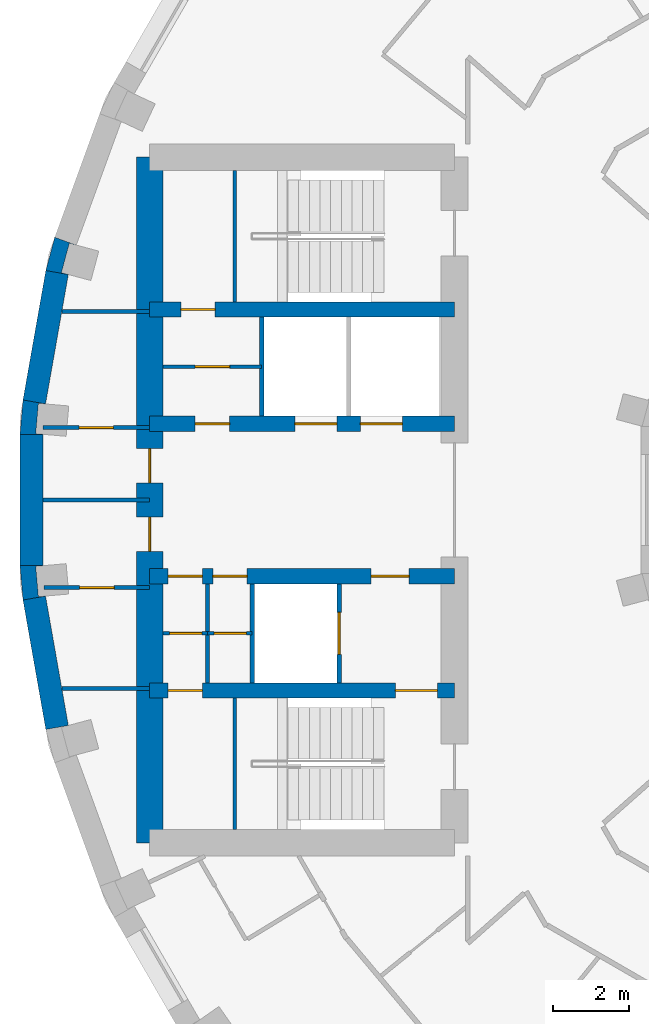
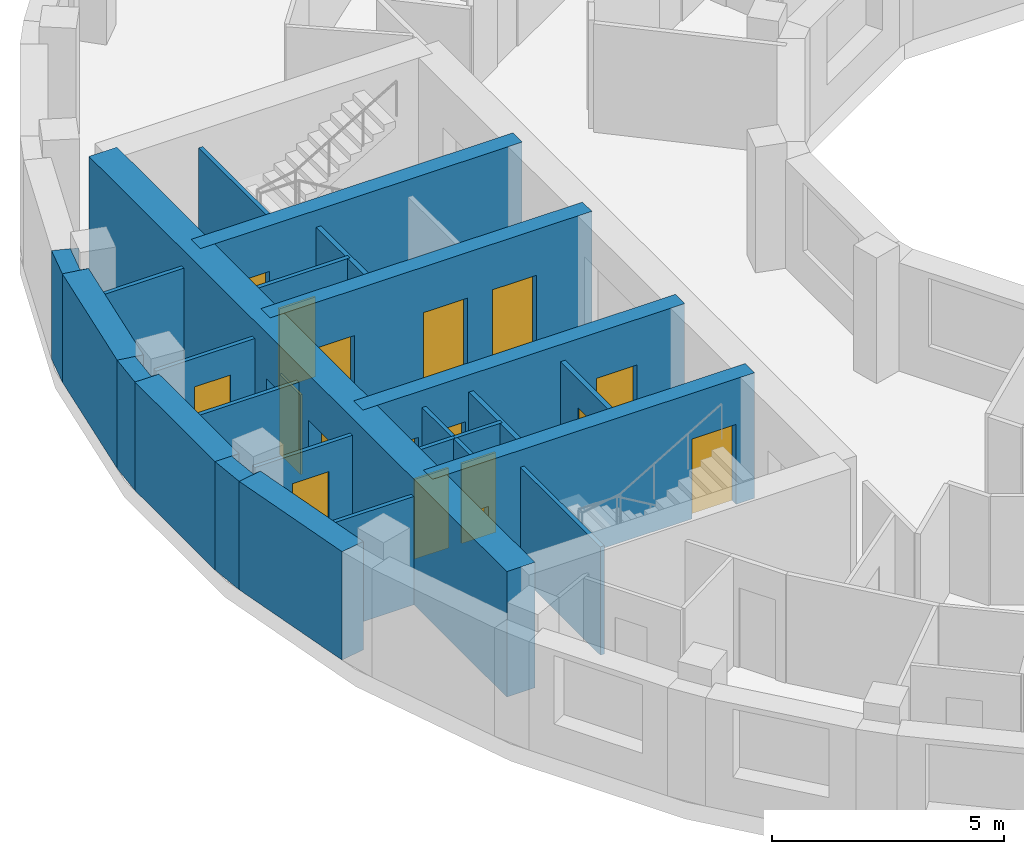
# One storey, part 6 of 14: 25 walls, 17 doors, 17 openings.
"""IFC4 building model written with IfcOpenShell, lengths in metres."""

from ifc_helpers import new_model, si_unit, direction, frame, frame_2d, origin, place, context, subcontext, project, spatial, polyline, rectangle, outline, extrude, material, layer, layer_set, type_object, element, fill, save


model = new_model("IFC4")

# Units and contexts
model_context = context("Model", 3, precision=1e-05, world=origin(), true_north=direction((0.0, 1.0)))
body_context = subcontext(model_context, "Body", "Model", "MODEL_VIEW")
ifc_project = project(units=[si_unit("LENGTHUNIT", "METRE"), si_unit("AREAUNIT", "SQUARE_METRE"), si_unit("VOLUMEUNIT", "CUBIC_METRE"), si_unit("PLANEANGLEUNIT", "RADIAN"), si_unit("MASSUNIT", "GRAM", prefix="KILO")], contexts=[model_context])

# Site, building, storey
site_placement = place(None, origin())
site = spatial("IfcSite", under=ifc_project, at=site_placement, CompositionType="ELEMENT")
building_placement = place(site_placement, origin())
building = spatial("IfcBuilding", under=site, at=building_placement, Name="Saqina Gate Tower", CompositionType="ELEMENT")
storey_placement = place(building_placement, frame((0.0, 0.0, 177.300048828125)))
storey = spatial("IfcBuildingStorey", under=building, at=storey_placement, Name="L50", CompositionType="ELEMENT", Elevation=177.300048828125)

# Walls
ifc_material_1 = material(Name="Brick masonry (buff)", Category="masonry")
wall_type_1 = type_object("IfcWallType", Name="BRICK PIER COPING BUFF", PredefinedType="SOLIDWALL", material=ifc_material_1)
wall_1_placement = place(storey_placement, origin())
element("IfcWall", 1, at=wall_1_placement, inside=storey, type_object=wall_type_1, Name="Pier cap L50 column 17", PredefinedType="SOLIDWALL", context=body_context, shape_type="SweptSolid", body=[
    extrude(outline(polyline([(-24.22705078125, 6.0234375), (-23.635986328125, 5.919189453125), (-23.81689453125, 5.967529296875), (-23.610107421875, 6.740478515625), (-23.428955078125, 6.69189453125), (-23.992919921875, 6.897216796875), (-24.22705078125, 6.0234375)])), origin(), (0.0, 0.0, 1.0), 2.849853515625),
])
wall_2_placement = place(storey_placement, origin())
element("IfcWall", 2, at=wall_2_placement, inside=storey, type_object=wall_type_1, Name="Pier cap L50 column 18", PredefinedType="SOLIDWALL", context=body_context, shape_type="SweptSolid", body=[
    extrude(outline(polyline([(-24.825927734375, 2.6259765625), (-24.90478515625, 1.724853515625), (-24.304931640625, 1.724853515625), (-24.491455078125, 1.7412109375), (-24.421630859375, 2.5380859375), (-24.235107421875, 2.521728515625), (-24.825927734375, 2.6259765625)])), origin(), (0.0, 0.0, 1.0), 2.849853515625),
])
wall_3_placement = place(storey_placement, origin())
element("IfcWall", 3, at=wall_3_placement, inside=storey, type_object=wall_type_1, Name="Pier cap L50 column 19", PredefinedType="SOLIDWALL", context=body_context, shape_type="SweptSolid", body=[
    extrude(outline(polyline([(-24.90478515625, -1.724853515625), (-24.825927734375, -2.6259765625), (-24.235107421875, -2.521728515625), (-24.421630859375, -2.5380859375), (-24.491455078125, -1.7412109375), (-24.304931640625, -1.724853515625), (-24.90478515625, -1.724853515625)])), origin(), (0.0, 0.0, 1.0), 2.849853515625),
])
ifc_material_2 = material(Name="Gypsum board on steel studs", Category="steel")
ifc_layer_1 = layer(ifc_material_2, 0.10009765625)
ifc_layer_set_1 = layer_set([ifc_layer_1], Name="CORE PARTITION")
wall_type_2 = type_object("IfcWallType", Name="CORE PARTITION", PredefinedType="PARTITIONING", material=ifc_layer_set_1)
wall_4_placement = place(storey_placement, frame((-21.5, 4.949951171875, 0.0), z_axis=(0.0, 0.0, 1.0), x_axis=(-1.0, 0.0, 0.0)))
element("IfcWall", 4, at=wall_4_placement, inside=storey, type_object=wall_type_2, Name="L50-CP-W01", PredefinedType="PARTITIONING", context=body_context, shape_type="SweptSolid", body=[
    extrude(rectangle(XDim=2.306884765625, YDim=0.10009765625, at=frame_2d((1.1533203125, 0.0))), origin(), (0.0, 0.0, 1.0), 2.849853515625),
])

# Wall, opening, door
wall_5_placement = place(storey_placement, frame((-21.5, 1.89990234375, 0.0), z_axis=(0.0, 0.0, 1.0), x_axis=(-1.0, 0.0, 0.0)))
wall_5 = element("IfcWall", 5, at=wall_5_placement, inside=storey, type_object=wall_type_2, Name="L50-CP-W02", PredefinedType="PARTITIONING", context=body_context, shape_type="SweptSolid", body=[
    extrude(rectangle(XDim=2.804931640625, YDim=0.10009765625, at=frame_2d((1.40234375, 0.0))), origin(), (0.0, 0.0, 1.0), 2.849853515625),
])
opening_1_placement = place(wall_5_placement, frame((0.952392578125, 0.0, 0.0)))
opening_1 = element("IfcOpeningElement", 6, at=opening_1_placement, cuts=wall_5, Name="Opening G14-D111", PredefinedType="OPENING", context=body_context, shape_type="SweptSolid", body=[
    extrude(rectangle(XDim=0.89990234375, YDim=2.10009765625, at=frame_2d((0.449951171875, 1.050048828125))), frame((0.0, 0.06201171875, 0.0), z_axis=(0.0, -1.0, 0.0), x_axis=(1.0, 0.0, 0.0)), (0.0, 0.0, 1.0), 0.1240234375),
])
ifc_material_3 = material(Name="Steel-framed fire door leaf, EI 60", Category="steel")
door_type_1 = type_object("IfcDoorType", Name="SERVICE ROOM DOOR 900", OperationType="SINGLE_SWING_LEFT", PredefinedType="DOOR", material=ifc_material_3)
door_1_placement = place(opening_1_placement, frame((0.89990234375, 0.0, 0.0), z_axis=(0.0, 0.0, 1.0), x_axis=(-1.0, 0.0, 0.0)))
door_1 = element("IfcDoor", 7, at=door_1_placement, inside=storey, type_object=door_type_1, Name="L50-CD-W22", OperationType="SINGLE_SWING_RIGHT", OverallHeight=2.10009765625, OverallWidth=0.89990234375, PredefinedType="DOOR", context=body_context, shape_type="SweptSolid", body=[
    extrude(rectangle(XDim=0.89990234375, YDim=2.10009765625, at=frame_2d((0.449951171875, 1.050048828125))), frame((0.0, 0.02490234375, 0.0), z_axis=(0.0, -1.0, 0.0), x_axis=(1.0, 0.0, 0.0)), (0.0, 0.0, 1.0), 0.050048828125),
])
fill(opening_1, door_1)

# Wall
wall_6_placement = place(storey_placement, frame((-21.5, -4.949951171875, 0.0), z_axis=(0.0, 0.0, 1.0), x_axis=(-1.0, 0.0, 0.0)))
element("IfcWall", 8, at=wall_6_placement, inside=storey, type_object=wall_type_2, Name="L50-CP-W03", PredefinedType="PARTITIONING", context=body_context, shape_type="SweptSolid", body=[
    extrude(rectangle(XDim=2.306884765625, YDim=0.10009765625, at=frame_2d((1.1533203125, 0.0))), origin(), (0.0, 0.0, 1.0), 2.849853515625),
])

# Wall, opening, door
wall_7_placement = place(storey_placement, frame((-21.5, -2.300048828125, 0.0), z_axis=(0.0, 0.0, 1.0), x_axis=(-1.0, 0.0, 0.0)))
wall_7 = element("IfcWall", 9, at=wall_7_placement, inside=storey, type_object=wall_type_2, Name="L50-CP-W04", PredefinedType="PARTITIONING", context=body_context, shape_type="SweptSolid", body=[
    extrude(rectangle(XDim=2.774169921875, YDim=0.10009765625, at=frame_2d((1.38720703125, 0.0))), origin(), (0.0, 0.0, 1.0), 2.849853515625),
])
opening_2_placement = place(wall_7_placement, frame((0.93701171875, 0.0, 0.0)))
opening_2 = element("IfcOpeningElement", 10, at=opening_2_placement, cuts=wall_7, Name="Opening G14-D113", PredefinedType="OPENING", context=body_context, shape_type="SweptSolid", body=[
    extrude(rectangle(XDim=0.89990234375, YDim=2.10009765625, at=frame_2d((0.449951171875, 1.050048828125))), frame((0.0, 0.06201171875, 0.0), z_axis=(0.0, -1.0, 0.0), x_axis=(1.0, 0.0, 0.0)), (0.0, 0.0, 1.0), 0.1240234375),
])
door_2_placement = place(opening_2_placement, origin())
door_2 = element("IfcDoor", 11, at=door_2_placement, inside=storey, type_object=door_type_1, Name="L50-CD-W24", OperationType="SINGLE_SWING_LEFT", OverallHeight=2.10009765625, OverallWidth=0.89990234375, PredefinedType="DOOR", context=body_context, shape_type="SweptSolid", body=[
    extrude(rectangle(XDim=0.89990234375, YDim=2.10009765625, at=frame_2d((0.449951171875, 1.050048828125))), frame((0.0, 0.02490234375, 0.0), z_axis=(0.0, -1.0, 0.0), x_axis=(1.0, 0.0, 0.0)), (0.0, 0.0, 1.0), 0.050048828125),
])
fill(opening_2, door_2)

# Walls
wall_8_placement = place(storey_placement, frame((-21.5, 0.0, 0.0), z_axis=(0.0, 0.0, 1.0), x_axis=(-1.0, 0.0, 0.0)))
element("IfcWall", 12, at=wall_8_placement, inside=storey, type_object=wall_type_2, Name="L50-CP-W05", PredefinedType="PARTITIONING", context=body_context, shape_type="SweptSolid", body=[
    extrude(rectangle(XDim=2.804931640625, YDim=0.10009765625, at=frame_2d((1.40234375, 0.0))), origin(), (0.0, 0.0, 1.0), 2.849853515625),
])
wall_9_placement = place(storey_placement, frame((-19.97998046875, -4.800048828125, 0.0), z_axis=(0.0, 0.0, 1.0), x_axis=(0.0, 1.0, 0.0)))
element("IfcWall", 13, at=wall_9_placement, inside=storey, type_object=wall_type_2, Name="L50-CP-W10", PredefinedType="PARTITIONING", context=body_context, shape_type="SweptSolid", body=[
    extrude(rectangle(XDim=2.60009765625, YDim=0.10009765625, at=frame_2d((1.300048828125, 0.0))), origin(), (0.0, 0.0, 1.0), 2.849853515625),
])

# Wall, opening, door
wall_10_placement = place(storey_placement, frame((-18.56005859375, 3.5, 0.0), z_axis=(0.0, 0.0, 1.0), x_axis=(-1.0, 0.0, 0.0)))
wall_10 = element("IfcWall", 14, at=wall_10_placement, inside=storey, type_object=wall_type_2, Name="L50-CP-W11", PredefinedType="PARTITIONING", context=body_context, shape_type="SweptSolid", body=[
    extrude(rectangle(XDim=2.58984375, YDim=0.10009765625, at=frame_2d((1.294921875, 0.0))), origin(), (0.0, 0.0, 1.0), 2.849853515625),
])
opening_3_placement = place(wall_10_placement, frame((0.844970703125, 0.0, 0.0)))
opening_3 = element("IfcOpeningElement", 15, at=opening_3_placement, cuts=wall_10, Name="Opening G14-D115", PredefinedType="OPENING", context=body_context, shape_type="SweptSolid", body=[
    extrude(rectangle(XDim=0.89990234375, YDim=2.10009765625, at=frame_2d((0.449951171875, 1.050048828125))), frame((0.0, 0.06201171875, 0.0), z_axis=(0.0, -1.0, 0.0), x_axis=(1.0, 0.0, 0.0)), (0.0, 0.0, 1.0), 0.1240234375),
])
door_3_placement = place(opening_3_placement, frame((0.89990234375, 0.0, 0.0), z_axis=(0.0, 0.0, 1.0), x_axis=(-1.0, 0.0, 0.0)))
door_3 = element("IfcDoor", 16, at=door_3_placement, inside=storey, type_object=door_type_1, Name="L50-CD-W26", OperationType="SINGLE_SWING_LEFT", OverallHeight=2.10009765625, OverallWidth=0.89990234375, PredefinedType="DOOR", context=body_context, shape_type="SweptSolid", body=[
    extrude(rectangle(XDim=0.89990234375, YDim=2.10009765625, at=frame_2d((0.449951171875, 1.050048828125))), frame((0.0, 0.02490234375, 0.0), z_axis=(0.0, -1.0, 0.0), x_axis=(1.0, 0.0, 0.0)), (0.0, 0.0, 1.0), 0.050048828125),
])
fill(opening_3, door_3)

wall_11_placement = place(storey_placement, frame((-18.81005859375, -3.5, 0.0), z_axis=(0.0, 0.0, 1.0), x_axis=(-1.0, 0.0, 0.0)))
wall_11 = element("IfcWall", 17, at=wall_11_placement, inside=storey, type_object=wall_type_2, Name="L50-CP-W12", PredefinedType="PARTITIONING", context=body_context, shape_type="SweptSolid", body=[
    extrude(rectangle(XDim=1.169921875, YDim=0.10009765625, at=frame_2d((0.5849609375, 0.0))), origin(), (0.0, 0.0, 1.0), 2.849853515625),
])
opening_4_placement = place(wall_11_placement, frame((0.14990234375, 0.0, 0.0)))
opening_4 = element("IfcOpeningElement", 18, at=opening_4_placement, cuts=wall_11, Name="Opening G14-D117", PredefinedType="OPENING", context=body_context, shape_type="SweptSolid", body=[
    extrude(rectangle(XDim=0.85009765625, YDim=2.10009765625, at=frame_2d((0.425048828125, 1.050048828125))), frame((0.0, 0.06201171875, 0.0), z_axis=(0.0, -1.0, 0.0), x_axis=(1.0, 0.0, 0.0)), (0.0, 0.0, 1.0), 0.1240234375),
])
ifc_material_4 = material(Name="Steel-framed fire door leaf, EI 60", Category="steel")
door_type_2 = type_object("IfcDoorType", Name="SERVICE ROOM DOOR 850", OperationType="SINGLE_SWING_LEFT", PredefinedType="DOOR", material=ifc_material_4)
door_4_placement = place(opening_4_placement, origin())
door_4 = element("IfcDoor", 19, at=door_4_placement, inside=storey, type_object=door_type_2, Name="L50-CD-W28", OperationType="SINGLE_SWING_LEFT", OverallHeight=2.10009765625, OverallWidth=0.85009765625, PredefinedType="DOOR", context=body_context, shape_type="SweptSolid", body=[
    extrude(rectangle(XDim=0.85009765625, YDim=2.10009765625, at=frame_2d((0.425048828125, 1.050048828125))), frame((0.0, 0.02490234375, 0.0), z_axis=(0.0, -1.0, 0.0), x_axis=(1.0, 0.0, 0.0)), (0.0, 0.0, 1.0), 0.050048828125),
])
fill(opening_4, door_4)

wall_12_placement = place(storey_placement, frame((-19.97998046875, -3.5, 0.0), z_axis=(0.0, 0.0, 1.0), x_axis=(-1.0, 0.0, 0.0)))
wall_12 = element("IfcWall", 20, at=wall_12_placement, inside=storey, type_object=wall_type_2, Name="L50-CP-W13", PredefinedType="PARTITIONING", context=body_context, shape_type="SweptSolid", body=[
    extrude(rectangle(XDim=1.169921875, YDim=0.10009765625, at=frame_2d((0.5849609375, 0.0))), origin(), (0.0, 0.0, 1.0), 2.849853515625),
])
opening_5_placement = place(wall_12_placement, frame((0.14990234375, 0.0, 0.0)))
opening_5 = element("IfcOpeningElement", 21, at=opening_5_placement, cuts=wall_12, Name="Opening G14-D118", PredefinedType="OPENING", context=body_context, shape_type="SweptSolid", body=[
    extrude(rectangle(XDim=0.85009765625, YDim=2.10009765625, at=frame_2d((0.425048828125, 1.050048828125))), frame((0.0, 0.06201171875, 0.0), z_axis=(0.0, -1.0, 0.0), x_axis=(1.0, 0.0, 0.0)), (0.0, 0.0, 1.0), 0.1240234375),
])
door_5_placement = place(opening_5_placement, origin())
door_5 = element("IfcDoor", 22, at=door_5_placement, inside=storey, type_object=door_type_2, Name="L50-CD-W29", OperationType="SINGLE_SWING_RIGHT", OverallHeight=2.10009765625, OverallWidth=0.85009765625, PredefinedType="DOOR", context=body_context, shape_type="SweptSolid", body=[
    extrude(rectangle(XDim=0.85009765625, YDim=2.10009765625, at=frame_2d((0.425048828125, 1.050048828125))), frame((0.0, 0.02490234375, 0.0), z_axis=(0.0, -1.0, 0.0), x_axis=(1.0, 0.0, 0.0)), (0.0, 0.0, 1.0), 0.050048828125),
])
fill(opening_5, door_5)

# Walls
ifc_material_5 = material(Name="Glazed ceramic tile", Category="ceramic")
ifc_layer_2 = layer(ifc_material_5, 0.60009765625)
ifc_layer_set_2 = layer_set([ifc_layer_2], Name="FW-TILE")
wall_type_3 = type_object("IfcWallType", Name="FW-TILE", PredefinedType="SOLIDWALL", material=ifc_layer_set_2)
for number, where, z_axis, x_axis, name in (
    (23, (-23.931640625, 5.97119140625, 0.0), (0.0, 0.0, 1.0), (-0.173607684551, -0.984814892183, 0.0), "Facade wall L50 facet 17"),
    (24, (-24.530517578125, -2.573974609375, 0.0), (0.0, 0.0, 1.0), (0.173607684551, -0.984814892183, 0.0), "Facade wall L50 facet 19"),
):
    element("IfcWall", number, at=place(storey_placement, frame(where, z_axis=z_axis, x_axis=x_axis)), inside=storey, type_object=wall_type_3, Name=name, PredefinedType="SOLIDWALL", context=body_context, shape_type="SweptSolid", body=[
        extrude(rectangle(XDim=3.44970703125, YDim=0.60009765625, at=frame_2d((1.724853515625, 0.0))), origin(), (0.0, 0.0, 1.0), 2.849853515625),
    ])
ifc_material_6 = material(Name="Glazed ceramic tile (white)", Category="ceramic")
ifc_layer_3 = layer(ifc_material_6, 0.60009765625)
ifc_layer_set_3 = layer_set([ifc_layer_3], Name="FW-TILE-WH")
wall_type_4 = type_object("IfcWallType", Name="FW-TILE-WH", PredefinedType="SOLIDWALL", material=ifc_layer_set_3)
wall_13_placement = place(storey_placement, frame((-24.60498046875, 1.724853515625, 0.0), z_axis=(0.0, 0.0, 1.0), x_axis=(0.0, -1.0, 0.0)))
element("IfcWall", 25, at=wall_13_placement, inside=storey, type_object=wall_type_4, Name="Facade wall L50 facet 18", PredefinedType="SOLIDWALL", context=body_context, shape_type="SweptSolid", body=[
    extrude(rectangle(XDim=3.44970703125, YDim=0.60009765625, at=frame_2d((1.724853515625, 0.0))), origin(), (0.0, 0.0, 1.0), 2.849853515625),
])
ifc_material_7 = material(Name="Autoclaved aerated concrete block", Category="concrete")
ifc_layer_4 = layer(ifc_material_7, 0.1201171875)
ifc_layer_set_4 = layer_set([ifc_layer_4], Name="SHAFT PARTITION")
wall_type_5 = type_object("IfcWallType", Name="SHAFT PARTITION", PredefinedType="PARTITIONING", material=ifc_layer_set_4)
wall_14_placement = place(storey_placement, frame((-18.56005859375, 2.199951171875, 0.0), z_axis=(0.0, 0.0, 1.0), x_axis=(0.0, 1.0, 0.0)))
element("IfcWall", 26, at=wall_14_placement, inside=storey, type_object=wall_type_5, Name="L50-CP-W07", PredefinedType="PARTITIONING", context=body_context, shape_type="SweptSolid", body=[
    extrude(rectangle(XDim=2.60009765625, YDim=0.1201171875, at=frame_2d((1.300048828125, 0.0))), origin(), (0.0, 0.0, 1.0), 2.849853515625),
])

# Wall, opening, door
wall_15_placement = place(storey_placement, frame((-16.530029296875, -4.800048828125, 0.0), z_axis=(0.0, 0.0, 1.0), x_axis=(0.0, 1.0, 0.0)))
wall_15 = element("IfcWall", 27, at=wall_15_placement, inside=storey, type_object=wall_type_5, Name="L50-CP-W08", PredefinedType="PARTITIONING", context=body_context, shape_type="SweptSolid", body=[
    extrude(rectangle(XDim=2.60009765625, YDim=0.1201171875, at=frame_2d((1.300048828125, 0.0))), origin(), (0.0, 0.0, 1.0), 2.849853515625),
])
opening_6_placement = place(wall_15_placement, frame((0.75, 0.0, 0.0)))
opening_6 = element("IfcOpeningElement", 28, at=opening_6_placement, cuts=wall_15, Name="Opening G14-LD6", PredefinedType="OPENING", context=body_context, shape_type="SweptSolid", body=[
    extrude(rectangle(XDim=1.10009765625, YDim=2.10009765625, at=frame_2d((0.550048828125, 1.050048828125))), frame((0.0, 0.072021484375, 0.0), z_axis=(0.0, -1.0, 0.0), x_axis=(1.0, 0.0, 0.0)), (0.0, 0.0, 1.0), 0.14404296875),
])
ifc_material_8 = material(Name="Stainless steel", Category="steel")
door_type_3 = type_object("IfcDoorType", Name="LANDING DOOR", OperationType="DOUBLE_DOOR_SLIDING", PredefinedType="DOOR", material=ifc_material_8)
door_6_placement = place(opening_6_placement, origin())
door_6 = element("IfcDoor", 29, at=door_6_placement, inside=storey, type_object=door_type_3, Name="LANDING DOOR FF2", OperationType="DOUBLE_DOOR_SLIDING", OverallHeight=2.10009765625, OverallWidth=1.10009765625, PredefinedType="DOOR", context=body_context, shape_type="SweptSolid", body=[
    extrude(rectangle(XDim=1.10009765625, YDim=2.10009765625, at=frame_2d((0.550048828125, 1.050048828125))), frame((0.0, 0.02490234375, 0.0), z_axis=(0.0, -1.0, 0.0), x_axis=(1.0, 0.0, 0.0)), (0.0, 0.0, 1.0), 0.050048828125),
])
fill(opening_6, door_6)

# Walls
wall_16_placement = place(storey_placement, frame((-18.81005859375, -4.800048828125, 0.0), z_axis=(0.0, 0.0, 1.0), x_axis=(0.0, 1.0, 0.0)))
element("IfcWall", 30, at=wall_16_placement, inside=storey, type_object=wall_type_5, Name="L50-CP-W09", PredefinedType="PARTITIONING", context=body_context, shape_type="SweptSolid", body=[
    extrude(rectangle(XDim=2.60009765625, YDim=0.1201171875, at=frame_2d((1.300048828125, 0.0))), origin(), (0.0, 0.0, 1.0), 2.849853515625),
])
ifc_material_9 = material(Name="Autoclaved aerated concrete block", Category="concrete")
ifc_layer_5 = layer(ifc_material_9, 0.10009765625)
ifc_layer_set_5 = layer_set([ifc_layer_5], Name="STAIR ENCLOSURE WALL")
wall_type_6 = type_object("IfcWallType", Name="STAIR ENCLOSURE WALL", PredefinedType="PARTITIONING", material=ifc_layer_set_5)
for number, where, z_axis, x_axis, name in (
    (31, (-19.27001953125, 5.199951171875, 0.0), (0.0, 0.0, 1.0), (0.0, 1.0, 0.0), "L50-CP-W14"),
    (32, (-19.27001953125, -8.64990234375, 0.0), (0.0, 0.0, 1.0), (0.0, 1.0, 0.0), "L50-CP-W15"),
):
    element("IfcWall", number, at=place(storey_placement, frame(where, z_axis=z_axis, x_axis=x_axis)), inside=storey, type_object=wall_type_6, Name=name, PredefinedType="PARTITIONING", context=body_context, shape_type="SweptSolid", body=[
        extrude(rectangle(XDim=3.449951171875, YDim=0.10009765625, at=frame_2d((1.72509765625, 0.0))), origin(), (0.0, 0.0, 1.0), 2.849853515625),
    ])

# Wall, opening, door
ifc_material_10 = material(Name="Concrete C60/75", Category="concrete")
ifc_layer_6 = layer(ifc_material_10, 0.39990234375)
ifc_layer_set_6 = layer_set([ifc_layer_6], Name="Concrete C60/75")
wall_type_7 = type_object("IfcWallType", Name="STR-CORE WALL-C-I", PredefinedType="SHEAR", material=ifc_layer_set_6)
wall_17_placement = place(storey_placement, frame((-13.5, 5.0, 0.0), z_axis=(0.0, 0.0, 1.0), x_axis=(-1.0, 0.0, 0.0)))
wall_17 = element("IfcWall", 33, at=wall_17_placement, inside=storey, type_object=wall_type_7, Name="CORE WALL L50 W-X1", PredefinedType="SHEAR", context=body_context, shape_type="SweptSolid", body=[
    extrude(rectangle(XDim=8.0, YDim=0.39990234375, at=frame_2d((4.0, 0.0))), origin(), (0.0, 0.0, 1.0), 3.300048828125),
])
opening_7_placement = place(wall_17_placement, frame((6.284912109375, 0.0, 0.0)))
opening_7 = element("IfcOpeningElement", 34, at=opening_7_placement, cuts=wall_17, Name="Opening G14-D116", PredefinedType="OPENING", context=body_context, shape_type="SweptSolid", body=[
    extrude(rectangle(XDim=0.89990234375, YDim=2.10009765625, at=frame_2d((0.449951171875, 1.050048828125))), frame((0.0, 0.2119140625, 0.0), z_axis=(0.0, -1.0, 0.0), x_axis=(1.0, 0.0, 0.0)), (0.0, 0.0, 1.0), 0.423828125),
])
door_7_placement = place(opening_7_placement, frame((0.89990234375, 0.0, 0.0), z_axis=(0.0, 0.0, 1.0), x_axis=(-1.0, 0.0, 0.0)))
door_7 = element("IfcDoor", 35, at=door_7_placement, inside=storey, type_object=door_type_1, Name="L50-CD-W27", OperationType="SINGLE_SWING_LEFT", OverallHeight=2.10009765625, OverallWidth=0.89990234375, PredefinedType="DOOR", context=body_context, shape_type="SweptSolid", body=[
    extrude(rectangle(XDim=0.89990234375, YDim=2.10009765625, at=frame_2d((0.449951171875, 1.050048828125))), frame((0.0, 0.02490234375, 0.0), z_axis=(0.0, -1.0, 0.0), x_axis=(1.0, 0.0, 0.0)), (0.0, 0.0, 1.0), 0.050048828125),
])
fill(opening_7, door_7)

# Wall, openings, doors
wall_18_placement = place(storey_placement, frame((-13.5, -5.0, 0.0), z_axis=(0.0, 0.0, 1.0), x_axis=(-1.0, 0.0, 0.0)))
wall_18 = element("IfcWall", 36, at=wall_18_placement, inside=storey, type_object=wall_type_7, Name="CORE WALL L50 W-X2", PredefinedType="SHEAR", context=body_context, shape_type="SweptSolid", body=[
    extrude(rectangle(XDim=8.0, YDim=0.39990234375, at=frame_2d((4.0, 0.0))), origin(), (0.0, 0.0, 1.0), 3.300048828125),
])
opening_8_placement = place(wall_18_placement, frame((6.614990234375, 0.0, 0.0)))
opening_8 = element("IfcOpeningElement", 37, at=opening_8_placement, cuts=wall_18, Name="Opening G14-D119", PredefinedType="OPENING", context=body_context, shape_type="SweptSolid", body=[
    extrude(rectangle(XDim=0.89990234375, YDim=2.10009765625, at=frame_2d((0.449951171875, 1.050048828125))), frame((0.0, 0.2119140625, 0.0), z_axis=(0.0, -1.0, 0.0), x_axis=(1.0, 0.0, 0.0)), (0.0, 0.0, 1.0), 0.423828125),
])
opening_9_placement = place(wall_18_placement, frame((0.449951171875, 0.0, 0.0)))
opening_9 = element("IfcOpeningElement", 38, at=opening_9_placement, cuts=wall_18, Name="Opening G14-D120", PredefinedType="OPENING", context=body_context, shape_type="SweptSolid", body=[
    extrude(rectangle(XDim=1.10009765625, YDim=2.10009765625, at=frame_2d((0.550048828125, 1.050048828125))), frame((0.0, 0.2119140625, 0.0), z_axis=(0.0, -1.0, 0.0), x_axis=(1.0, 0.0, 0.0)), (0.0, 0.0, 1.0), 0.423828125),
])
ifc_material_11 = material(Name="Steel", Category="steel")
door_type_4 = type_object("IfcDoorType", Name="FIRE LOBBY DOOR EI 60 WIDE", OperationType="SINGLE_SWING_LEFT", PredefinedType="DOOR", material=ifc_material_11)
door_8_placement = place(opening_9_placement, origin())
door_8 = element("IfcDoor", 39, at=door_8_placement, inside=storey, type_object=door_type_4, Name="L50-CD-W31", OperationType="SINGLE_SWING_LEFT", OverallHeight=2.10009765625, OverallWidth=1.10009765625, PredefinedType="DOOR", context=body_context, shape_type="SweptSolid", body=[
    extrude(rectangle(XDim=1.10009765625, YDim=2.10009765625, at=frame_2d((0.550048828125, 1.050048828125))), frame((0.0, 0.02490234375, 0.0), z_axis=(0.0, -1.0, 0.0), x_axis=(1.0, 0.0, 0.0)), (0.0, 0.0, 1.0), 0.050048828125),
])
fill(opening_9, door_8)
door_9_placement = place(opening_8_placement, origin())
door_9 = element("IfcDoor", 40, at=door_9_placement, inside=storey, type_object=door_type_1, Name="L50-CD-W30", OperationType="SINGLE_SWING_RIGHT", OverallHeight=2.10009765625, OverallWidth=0.89990234375, PredefinedType="DOOR", context=body_context, shape_type="SweptSolid", body=[
    extrude(rectangle(XDim=0.89990234375, YDim=2.10009765625, at=frame_2d((0.449951171875, 1.050048828125))), frame((0.0, 0.02490234375, 0.0), z_axis=(0.0, -1.0, 0.0), x_axis=(1.0, 0.0, 0.0)), (0.0, 0.0, 1.0), 0.050048828125),
])
fill(opening_8, door_9)

wall_19_placement = place(storey_placement, frame((-13.5, 2.0, 0.0), z_axis=(0.0, 0.0, 1.0), x_axis=(-1.0, 0.0, 0.0)))
wall_19 = element("IfcWall", 41, at=wall_19_placement, inside=storey, type_object=wall_type_7, Name="CORE WALL L50 W-L1", PredefinedType="SHEAR", context=body_context, shape_type="SweptSolid", body=[
    extrude(rectangle(XDim=8.0, YDim=0.39990234375, at=frame_2d((4.0, 0.0))), origin(), (0.0, 0.0, 1.0), 3.300048828125),
])
opening_10_placement = place(wall_19_placement, frame((1.3701171875, 0.0, 0.0)))
opening_10 = element("IfcOpeningElement", 42, at=opening_10_placement, cuts=wall_19, Name="Opening G14-LD4", PredefinedType="OPENING", context=body_context, shape_type="SweptSolid", body=[
    extrude(rectangle(XDim=1.10009765625, YDim=2.10009765625, at=frame_2d((0.550048828125, 1.050048828125))), frame((0.0, 0.2119140625, 0.0), z_axis=(0.0, -1.0, 0.0), x_axis=(1.0, 0.0, 0.0)), (0.0, 0.0, 1.0), 0.423828125),
])
opening_11_placement = place(wall_19_placement, frame((3.090087890625, 0.0, 0.0)))
opening_11 = element("IfcOpeningElement", 43, at=opening_11_placement, cuts=wall_19, Name="Opening G14-LD5", PredefinedType="OPENING", context=body_context, shape_type="SweptSolid", body=[
    extrude(rectangle(XDim=1.10009765625, YDim=2.10009765625, at=frame_2d((0.550048828125, 1.050048828125))), frame((0.0, 0.2119140625, 0.0), z_axis=(0.0, -1.0, 0.0), x_axis=(1.0, 0.0, 0.0)), (0.0, 0.0, 1.0), 0.423828125),
])
opening_12_placement = place(wall_19_placement, frame((5.905029296875, 0.0, 0.0)))
opening_12 = element("IfcOpeningElement", 44, at=opening_12_placement, cuts=wall_19, Name="Opening G14-D107", PredefinedType="OPENING", context=body_context, shape_type="SweptSolid", body=[
    extrude(rectangle(XDim=0.89990234375, YDim=2.10009765625, at=frame_2d((0.449951171875, 1.050048828125))), frame((0.0, 0.2119140625, 0.0), z_axis=(0.0, -1.0, 0.0), x_axis=(1.0, 0.0, 0.0)), (0.0, 0.0, 1.0), 0.423828125),
])
door_10_placement = place(opening_10_placement, origin())
door_10 = element("IfcDoor", 45, at=door_10_placement, inside=storey, type_object=door_type_3, Name="LANDING DOOR HR3", OperationType="DOUBLE_DOOR_SLIDING", OverallHeight=2.10009765625, OverallWidth=1.10009765625, PredefinedType="DOOR", context=body_context, shape_type="SweptSolid", body=[
    extrude(rectangle(XDim=1.10009765625, YDim=2.10009765625, at=frame_2d((0.550048828125, 1.050048828125))), frame((0.0, 0.02490234375, 0.0), z_axis=(0.0, -1.0, 0.0), x_axis=(1.0, 0.0, 0.0)), (0.0, 0.0, 1.0), 0.050048828125),
])
fill(opening_10, door_10)
door_11_placement = place(opening_11_placement, origin())
door_11 = element("IfcDoor", 46, at=door_11_placement, inside=storey, type_object=door_type_3, Name="LANDING DOOR HR4", OperationType="DOUBLE_DOOR_SLIDING", OverallHeight=2.10009765625, OverallWidth=1.10009765625, PredefinedType="DOOR", context=body_context, shape_type="SweptSolid", body=[
    extrude(rectangle(XDim=1.10009765625, YDim=2.10009765625, at=frame_2d((0.550048828125, 1.050048828125))), frame((0.0, 0.02490234375, 0.0), z_axis=(0.0, -1.0, 0.0), x_axis=(1.0, 0.0, 0.0)), (0.0, 0.0, 1.0), 0.050048828125),
])
fill(opening_11, door_11)
door_12_placement = place(opening_12_placement, frame((0.89990234375, 0.0, 0.0), z_axis=(0.0, 0.0, 1.0), x_axis=(-1.0, 0.0, 0.0)))
door_12 = element("IfcDoor", 47, at=door_12_placement, inside=storey, type_object=door_type_1, Name="L50-CD-W18", OperationType="SINGLE_SWING_LEFT", OverallHeight=2.10009765625, OverallWidth=0.89990234375, PredefinedType="DOOR", context=body_context, shape_type="SweptSolid", body=[
    extrude(rectangle(XDim=0.89990234375, YDim=2.10009765625, at=frame_2d((0.449951171875, 1.050048828125))), frame((0.0, 0.02490234375, 0.0), z_axis=(0.0, -1.0, 0.0), x_axis=(1.0, 0.0, 0.0)), (0.0, 0.0, 1.0), 0.050048828125),
])
fill(opening_12, door_12)

wall_20_placement = place(storey_placement, frame((-13.5, -2.0, 0.0), z_axis=(0.0, 0.0, 1.0), x_axis=(-1.0, 0.0, 0.0)))
wall_20 = element("IfcWall", 48, at=wall_20_placement, inside=storey, type_object=wall_type_7, Name="CORE WALL L50 W-L2", PredefinedType="SHEAR", context=body_context, shape_type="SweptSolid", body=[
    extrude(rectangle(XDim=8.0, YDim=0.39990234375, at=frame_2d((4.0, 0.0))), origin(), (0.0, 0.0, 1.0), 3.300048828125),
])
opening_13_placement = place(wall_20_placement, frame((1.18994140625, 0.0, 0.0)))
opening_13 = element("IfcOpeningElement", 49, at=opening_13_placement, cuts=wall_20, Name="Opening G14-D108", PredefinedType="OPENING", context=body_context, shape_type="SweptSolid", body=[
    extrude(rectangle(XDim=1.0, YDim=2.10009765625, at=frame_2d((0.5, 1.050048828125))), frame((0.0, 0.2119140625, 0.0), z_axis=(0.0, -1.0, 0.0), x_axis=(1.0, 0.0, 0.0)), (0.0, 0.0, 1.0), 0.423828125),
])
opening_14_placement = place(wall_20_placement, frame((5.445068359375, 0.0, 0.0)))
opening_14 = element("IfcOpeningElement", 50, at=opening_14_placement, cuts=wall_20, Name="Opening G14-D109", PredefinedType="OPENING", context=body_context, shape_type="SweptSolid", body=[
    extrude(rectangle(XDim=0.89990234375, YDim=2.10009765625, at=frame_2d((0.449951171875, 1.050048828125))), frame((0.0, 0.2119140625, 0.0), z_axis=(0.0, -1.0, 0.0), x_axis=(1.0, 0.0, 0.0)), (0.0, 0.0, 1.0), 0.423828125),
])
opening_15_placement = place(wall_20_placement, frame((6.614990234375, 0.0, 0.0)))
opening_15 = element("IfcOpeningElement", 51, at=opening_15_placement, cuts=wall_20, Name="Opening G14-D110", PredefinedType="OPENING", context=body_context, shape_type="SweptSolid", body=[
    extrude(rectangle(XDim=0.89990234375, YDim=2.10009765625, at=frame_2d((0.449951171875, 1.050048828125))), frame((0.0, 0.2119140625, 0.0), z_axis=(0.0, -1.0, 0.0), x_axis=(1.0, 0.0, 0.0)), (0.0, 0.0, 1.0), 0.423828125),
])
ifc_material_12 = material(Name="Steel", Category="steel")
door_type_5 = type_object("IfcDoorType", Name="FIRE LOBBY DOOR EI 60", OperationType="SINGLE_SWING_LEFT", PredefinedType="DOOR", material=ifc_material_12)
door_13_placement = place(opening_13_placement, frame((1.0, 0.0, 0.0), z_axis=(0.0, 0.0, 1.0), x_axis=(-1.0, 0.0, 0.0)))
door_13 = element("IfcDoor", 52, at=door_13_placement, inside=storey, type_object=door_type_5, Name="L50-CD-W19", OperationType="SINGLE_SWING_RIGHT", OverallHeight=2.10009765625, OverallWidth=1.0, PredefinedType="DOOR", context=body_context, shape_type="SweptSolid", body=[
    extrude(rectangle(XDim=1.0, YDim=2.10009765625, at=frame_2d((0.5, 1.050048828125))), frame((0.0, 0.02490234375, 0.0), z_axis=(0.0, -1.0, 0.0), x_axis=(1.0, 0.0, 0.0)), (0.0, 0.0, 1.0), 0.050048828125),
])
fill(opening_13, door_13)
door_14_placement = place(opening_14_placement, origin())
door_14 = element("IfcDoor", 53, at=door_14_placement, inside=storey, type_object=door_type_1, Name="L50-CD-W20", OperationType="SINGLE_SWING_LEFT", OverallHeight=2.10009765625, OverallWidth=0.89990234375, PredefinedType="DOOR", context=body_context, shape_type="SweptSolid", body=[
    extrude(rectangle(XDim=0.89990234375, YDim=2.10009765625, at=frame_2d((0.449951171875, 1.050048828125))), frame((0.0, 0.02490234375, 0.0), z_axis=(0.0, -1.0, 0.0), x_axis=(1.0, 0.0, 0.0)), (0.0, 0.0, 1.0), 0.050048828125),
])
fill(opening_14, door_14)
door_15_placement = place(opening_15_placement, origin())
door_15 = element("IfcDoor", 54, at=door_15_placement, inside=storey, type_object=door_type_1, Name="L50-CD-W21", OperationType="SINGLE_SWING_RIGHT", OverallHeight=2.10009765625, OverallWidth=0.89990234375, PredefinedType="DOOR", context=body_context, shape_type="SweptSolid", body=[
    extrude(rectangle(XDim=0.89990234375, YDim=2.10009765625, at=frame_2d((0.449951171875, 1.050048828125))), frame((0.0, 0.02490234375, 0.0), z_axis=(0.0, -1.0, 0.0), x_axis=(1.0, 0.0, 0.0)), (0.0, 0.0, 1.0), 0.050048828125),
])
fill(opening_15, door_15)

ifc_material_13 = material(Name="Concrete C60/75", Category="concrete")
ifc_layer_7 = layer(ifc_material_13, 0.699951171875)
ifc_layer_set_7 = layer_set([ifc_layer_7], Name="Concrete C60/75")
wall_type_8 = type_object("IfcWallType", Name="STR-CORE WALL-C-O", PredefinedType="SHEAR", material=ifc_layer_set_7)
wall_21_placement = place(storey_placement, frame((-21.5, -9.0, 0.0), z_axis=(0.0, 0.0, 1.0), x_axis=(0.0, 1.0, 0.0)))
wall_21 = element("IfcWall", 55, at=wall_21_placement, inside=storey, type_object=wall_type_8, Name="CORE WALL L50 W-W2", PredefinedType="SHEAR", context=body_context, shape_type="SweptSolid", body=[
    extrude(rectangle(XDim=18.0, YDim=0.699951171875, at=frame_2d((9.0, 0.0))), origin(), (0.0, 0.0, 1.0), 3.300048828125),
])
opening_16_placement = place(wall_21_placement, frame((9.449951171875, 0.0, 0.0)))
opening_16 = element("IfcOpeningElement", 56, at=opening_16_placement, cuts=wall_21, Name="Opening G14-D112", PredefinedType="OPENING", context=body_context, shape_type="SweptSolid", body=[
    extrude(rectangle(XDim=0.89990234375, YDim=2.10009765625, at=frame_2d((0.449951171875, 1.050048828125))), frame((0.0, 0.362060546875, 0.0), z_axis=(0.0, -1.0, 0.0), x_axis=(1.0, 0.0, 0.0)), (0.0, 0.0, 1.0), 0.723876953125),
])
opening_17_placement = place(wall_21_placement, frame((7.64990234375, 0.0, 0.0)))
opening_17 = element("IfcOpeningElement", 57, at=opening_17_placement, cuts=wall_21, Name="Opening G14-D114", PredefinedType="OPENING", context=body_context, shape_type="SweptSolid", body=[
    extrude(rectangle(XDim=0.89990234375, YDim=2.10009765625, at=frame_2d((0.449951171875, 1.050048828125))), frame((0.0, 0.362060546875, 0.0), z_axis=(0.0, -1.0, 0.0), x_axis=(1.0, 0.0, 0.0)), (0.0, 0.0, 1.0), 0.723876953125),
])
door_16_placement = place(opening_16_placement, origin())
door_16 = element("IfcDoor", 58, at=door_16_placement, inside=storey, type_object=door_type_1, Name="L50-CD-W23", OperationType="SINGLE_SWING_RIGHT", OverallHeight=2.10009765625, OverallWidth=0.89990234375, PredefinedType="DOOR", context=body_context, shape_type="SweptSolid", body=[
    extrude(rectangle(XDim=0.89990234375, YDim=2.10009765625, at=frame_2d((0.449951171875, 1.050048828125))), frame((0.0, 0.02490234375, 0.0), z_axis=(0.0, -1.0, 0.0), x_axis=(1.0, 0.0, 0.0)), (0.0, 0.0, 1.0), 0.050048828125),
])
fill(opening_16, door_16)
door_17_placement = place(opening_17_placement, origin())
door_17 = element("IfcDoor", 59, at=door_17_placement, inside=storey, type_object=door_type_1, Name="L50-CD-W25", OperationType="SINGLE_SWING_RIGHT", OverallHeight=2.10009765625, OverallWidth=0.89990234375, PredefinedType="DOOR", context=body_context, shape_type="SweptSolid", body=[
    extrude(rectangle(XDim=0.89990234375, YDim=2.10009765625, at=frame_2d((0.449951171875, 1.050048828125))), frame((0.0, 0.02490234375, 0.0), z_axis=(0.0, -1.0, 0.0), x_axis=(1.0, 0.0, 0.0)), (0.0, 0.0, 1.0), 0.050048828125),
])
fill(opening_17, door_17)

save(model, "model.ifc")
